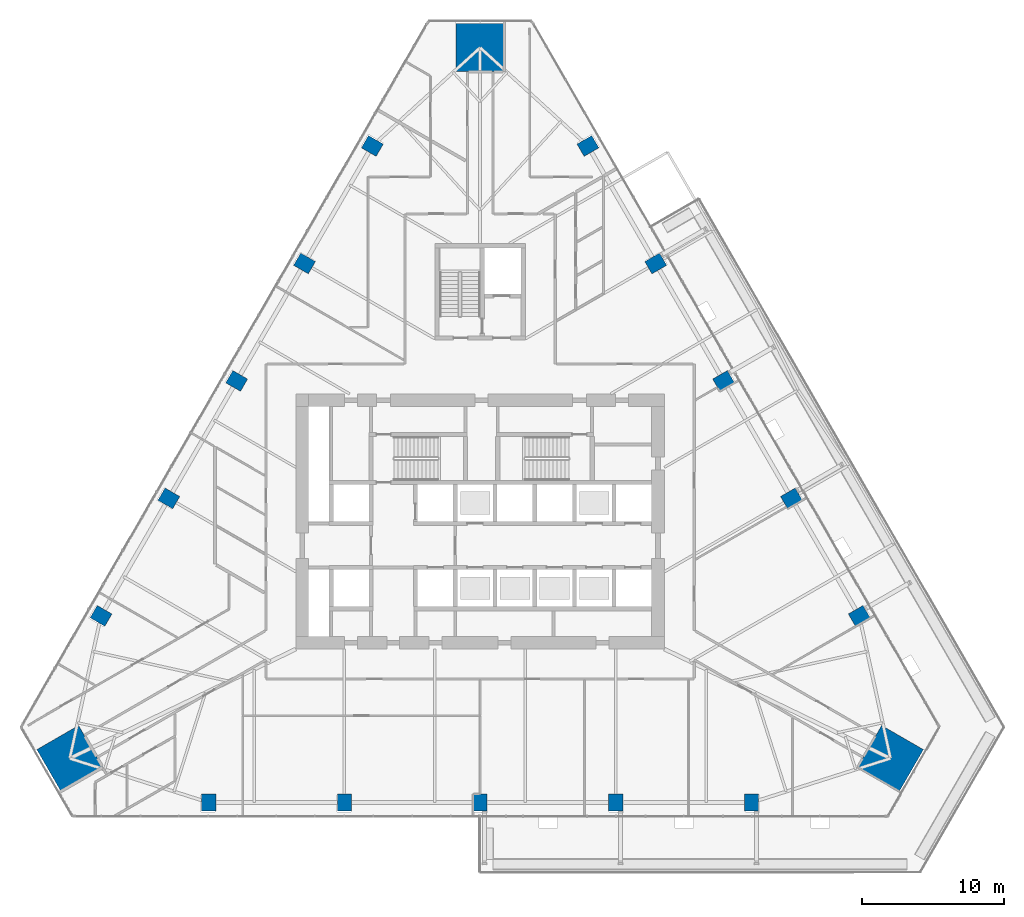
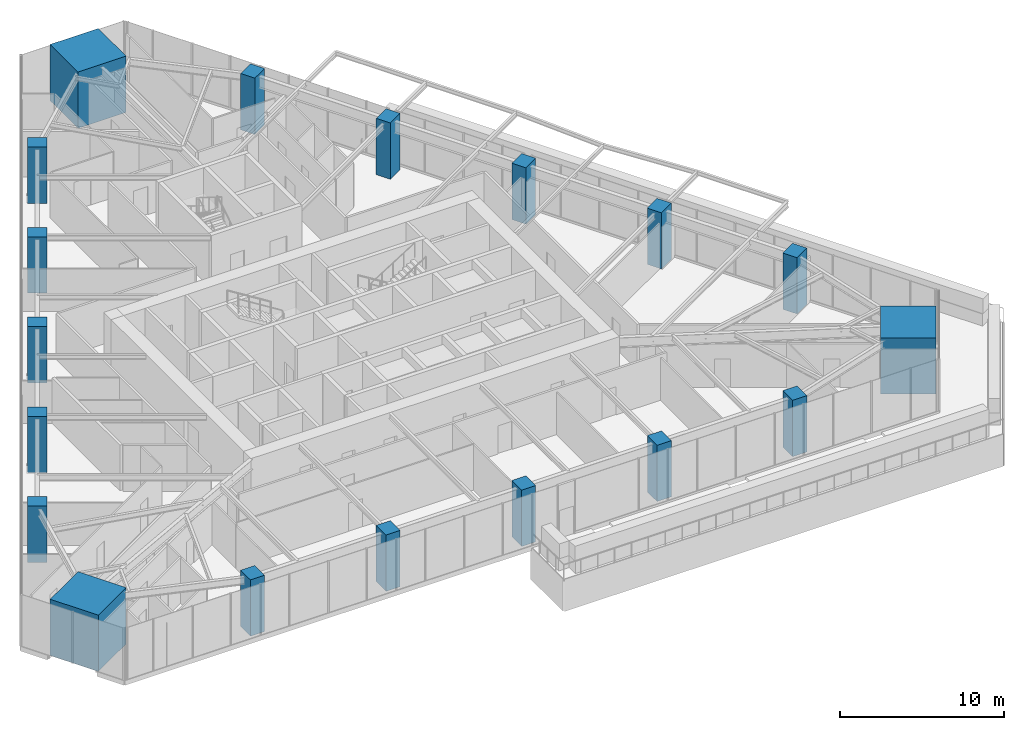
# One storey, part 1 of 29: 18 columns.
"""IFC4 building model written with IfcOpenShell, lengths in metres."""

import ifcopenshell
import ifcopenshell.guid

model = None  # the IFC model being written
_history = None  # IfcOwnerHistory: only IFC2X3 demands one
_inside = {}  # id of a spatial element -> (the spatial element, [elements in it])
_under = {}  # id of a project, library or spatial element -> (it, [spatial elements below it])
_declared = {}  # id of a project -> (the project, [libraries it declares])
_typed = {}  # id of a type object -> (the type object, [elements of that type])
_made_of = {}  # id of a material, layer set ... -> (it, [elements and type objects made of it])


def new_model(schema):
    """Start an empty IFC model of exactly this schema.

    Asked for "IFC4X3", IfcOpenShell would pick the latest addendum, in which some entities
    have other attributes; the version numbers below select the first issue.
    IFC2X3 requires an IfcOwnerHistory on every rooted entity: one is made here for all.
    """
    global model, _history
    if schema == "IFC4X3":
        model = ifcopenshell.file(schema_version=(4, 3, 0, 0))
    else:
        model = ifcopenshell.file(schema=schema)
    _inside.clear()
    _under.clear()
    _declared.clear()
    _typed.clear()
    _made_of.clear()
    _history = None
    if model.schema == "IFC2X3":
        org = make("IfcOrganization", Name="unknown")
        user = make(
            "IfcPersonAndOrganization",
            ThePerson=make("IfcPerson", FamilyName="unknown"),
            TheOrganization=org,
        )
        app = make(
            "IfcApplication",
            ApplicationDeveloper=org,
            Version="unknown",
            ApplicationFullName="unknown",
            ApplicationIdentifier="unknown",
        )
        _history = make(
            "IfcOwnerHistory",
            OwningUser=user,
            OwningApplication=app,
            ChangeAction="ADDED",
            CreationDate=0,
        )
    return model


def make(cls, **values):
    """One entity of the class cls with the attributes given. An attribute that is None is left unset."""
    return model.create_entity(
        cls, **{name: value for name, value in values.items() if value is not None}
    )


def rooted(cls, **values):
    """An entity with a GlobalId (a new one), such as an element, a storey or a relation."""
    return make(cls, GlobalId=ifcopenshell.guid.new(), OwnerHistory=_history, **values)


def si_unit(unit_type, name, prefix=None):
    """IfcSIUnit, for example si_unit("LENGTHUNIT", "METRE", prefix="MILLI")."""
    return make("IfcSIUnit", UnitType=unit_type, Prefix=prefix, Name=name)


def assignment(units):
    """IfcUnitAssignment: the units of a project."""
    return None if units is None else make("IfcUnitAssignment", Units=units)


def point(xyz):
    """IfcCartesianPoint."""
    return None if xyz is None else make("IfcCartesianPoint", Coordinates=xyz)


def direction(xyz):
    """IfcDirection."""
    return None if xyz is None else make("IfcDirection", DirectionRatios=xyz)


def frame(location, z_axis=None, x_axis=None):
    """IfcAxis2Placement3D, a coordinate frame: its origin and axes. An axis left out is left unset."""
    return make(
        "IfcAxis2Placement3D",
        Location=point(location),
        Axis=direction(z_axis),
        RefDirection=direction(x_axis),
    )


def frame_2d(location, x_axis=None):
    """IfcAxis2Placement2D, a coordinate frame in the plane: its origin and x axis."""
    return make(
        "IfcAxis2Placement2D", Location=point(location), RefDirection=direction(x_axis)
    )


def origin():
    """The frame at (0, 0, 0) with its axes left unset."""
    return frame((0.0, 0.0, 0.0))


def origin_2d():
    """The frame at (0, 0) in the plane with its x axis left unset."""
    return frame_2d((0.0, 0.0))


def place(relative_to, where):
    """IfcLocalPlacement: puts the frame where relative to a parent placement (None: the world)."""
    return make(
        "IfcLocalPlacement", PlacementRelTo=relative_to, RelativePlacement=where
    )


def context(
    kind, dimensions, precision=None, world=None, true_north=None, identifier=None
):
    """IfcGeometricRepresentationContext, for example the 3D "Model" context."""
    return make(
        "IfcGeometricRepresentationContext",
        ContextIdentifier=identifier,
        ContextType=kind,
        CoordinateSpaceDimension=dimensions,
        Precision=precision,
        WorldCoordinateSystem=world,
        TrueNorth=true_north,
    )


def subcontext(parent, identifier, kind, view, scale=None):
    """IfcGeometricRepresentationSubContext, for example "Body" below "Model"."""
    return make(
        "IfcGeometricRepresentationSubContext",
        ContextIdentifier=identifier,
        ContextType=kind,
        ParentContext=parent,
        TargetScale=scale,
        TargetView=view,
    )


def project(units=None, contexts=None):
    """IfcProject with its units and contexts."""
    return rooted(
        "IfcProject",
        Name="project",
        RepresentationContexts=contexts,
        UnitsInContext=assignment(units),
    )


def spatial(cls, under=None, at=None, **own):
    """A site, building, storey or space (cls), placed at a placement, below another one or the project."""
    s = rooted(cls, ObjectPlacement=at, **own)
    if under is not None:
        _under.setdefault(under.id(), (under, []))[1].append(s)
    return s


def profile(cls, at=None, kind="AREA", **sizes):
    """A parametric profile (cls). Its sizes go by their IFC names, for example OverallWidth=200.0."""
    return make(cls, ProfileType=kind, Position=at, **sizes)


def rectangle(**sizes):
    """IfcRectangleProfileDef."""
    return profile("IfcRectangleProfileDef", **sizes)


def extrude(swept, where, along, depth):
    """IfcExtrudedAreaSolid: the profile swept, set in the frame where, extruded along a direction by depth."""
    return make(
        "IfcExtrudedAreaSolid",
        SweptArea=swept,
        Position=where,
        ExtrudedDirection=direction(along),
        Depth=depth,
    )


def shape(context_of_items, identifier, shape_type, items):
    """IfcShapeRepresentation: the items that make up one representation, for example the "Body"."""
    return make(
        "IfcShapeRepresentation",
        ContextOfItems=context_of_items,
        RepresentationIdentifier=identifier,
        RepresentationType=shape_type,
        Items=items,
    )


def material(Name=None, Category=None):
    """IfcMaterial."""
    return make("IfcMaterial", Name=Name, Category=Category)


def material_profile(
    of_material, cross_section, Name=None, Category=None, Priority=None
):
    """IfcMaterialProfile: a cross section and its material."""
    return make(
        "IfcMaterialProfile",
        Name=Name,
        Material=of_material,
        Profile=cross_section,
        Priority=Priority,
        Category=Category,
    )


def profile_set(profiles, Name=None, composite=None):
    """IfcMaterialProfileSet."""
    return make(
        "IfcMaterialProfileSet",
        Name=Name,
        MaterialProfiles=profiles,
        CompositeProfile=composite,
    )


def made_of(thing, what):
    """Note that an element or type object is made of a material, layer set ...; save() writes the relation."""
    if what is not None:
        _made_of.setdefault(what.id(), (what, []))[1].append(thing)
    return thing


def type_object(cls, material=None, **own):
    """A type object (cls), such as IfcWallType, which elements share."""
    return made_of(rooted(cls, **own), material)


def element(
    cls,
    number,
    at=None,
    inside=None,
    cuts=None,
    type_object=None,
    material=None,
    context=None,
    identifier="Body",
    shape_type=None,
    held_by="IfcProductDefinitionShape",
    body=None,
    shapes=None,
    **own,
):
    """One element of the class cls, such as IfcWall. Its Tag is "e" and its number.

    at: its placement. inside: the storey or other place that contains it. cuts: it is an
    opening in that element (IfcRelVoidsElement). A single representation is given by context,
    identifier, shape_type and body (its items); several are given by shapes. held_by: the class
    of the entity that holds the representations. save() writes the other relations.
    """
    e = rooted(cls, Tag="e%d" % number, ObjectPlacement=at, **own)
    if body is not None:
        shapes = [shape(context, identifier, shape_type, body)]
    if shapes is not None:
        e.Representation = make(held_by, Representations=shapes)
    if inside is not None:
        _inside.setdefault(inside.id(), (inside, []))[1].append(e)
    if cuts is not None:
        rooted(
            "IfcRelVoidsElement", RelatingBuildingElement=cuts, RelatedOpeningElement=e
        )
    if type_object is not None:
        _typed.setdefault(type_object.id(), (type_object, []))[1].append(e)
    return made_of(e, material)


def aggregate(whole, parts):
    """IfcRelAggregates: a whole, such as a stair, and the parts it consists of."""
    return rooted("IfcRelAggregates", RelatingObject=whole, RelatedObjects=parts)


def save(model, path):
    """Write the relations noted so far, then the file.

    IfcRelAggregates (storeys below a building ...), IfcRelContainedInSpatialStructure (elements
    in a storey), IfcRelDefinesByType, IfcRelAssociatesMaterial and IfcRelDeclares: one each for
    every whole, place, type object, material and project.
    """
    for whole, parts in _under.values():
        aggregate(whole, parts)
    for where, things in _inside.values():
        rooted(
            "IfcRelContainedInSpatialStructure",
            RelatedElements=things,
            RelatingStructure=where,
        )
    for kind, things in _typed.values():
        rooted("IfcRelDefinesByType", RelatedObjects=things, RelatingType=kind)
    for what, things in _made_of.values():
        rooted("IfcRelAssociatesMaterial", RelatedObjects=things, RelatingMaterial=what)
    for by, libraries in _declared.values():
        rooted("IfcRelDeclares", RelatingContext=by, RelatedDefinitions=libraries)
    model.write(path)


model = new_model("IFC4")

# Units and contexts
model_context = context("Model", 3, precision=1e-05, world=origin(), true_north=direction((0.0, 1.0)))
body_context = subcontext(model_context, "Body", "Model", "MODEL_VIEW")
ifc_project = project(units=[si_unit("LENGTHUNIT", "METRE"), si_unit("AREAUNIT", "SQUARE_METRE"), si_unit("VOLUMEUNIT", "CUBIC_METRE"), si_unit("PLANEANGLEUNIT", "RADIAN"), si_unit("MASSUNIT", "GRAM", prefix="KILO")], contexts=[model_context])

# Site, building, storey
site_placement = place(None, origin())
site = spatial("IfcSite", under=ifc_project, at=site_placement, CompositionType="ELEMENT")
building_placement = place(site_placement, origin())
building = spatial("IfcBuilding", under=site, at=building_placement, Name="Firuza Gate Tower and Library", CompositionType="ELEMENT")
storey_placement = place(building_placement, frame((0.0, 0.0, 48.39990234375)))
storey = spatial("IfcBuildingStorey", under=building, at=storey_placement, Name="L10", CompositionType="ELEMENT", Elevation=48.39990234375)

# Columns
ifc_material_1 = material(Name="Concrete C80/95", Category="concrete")
ifc_material_profile_1 = material_profile(ifc_material_1, rectangle(XDim=3.39990234375, YDim=3.39990234375, at=origin_2d()))
ifc_profile_set_1 = profile_set([ifc_material_profile_1], Name="Concrete C80/95")
column_type_1 = type_object("IfcColumnType", Name="Mega column 3400x3400 C80/95", PredefinedType="COLUMN", material=ifc_profile_set_1)
for number, where, z_axis, x_axis, name in (
    (1, (103.94287109375, 58.289794921875, 0.0), (0.0, 0.0, 1.0), (0.5, 0.866025403784, 0.0), "Mega column SE L10"),
    (2, (75.0, 108.42041015625, 0.0), (0.0, 0.0, 1.0), (-1.0, 0.0, 0.0), "Mega column N L10"),
    (3, (46.05712890625, 58.289794921875, 0.0), (0.0, 0.0, 1.0), (0.5, -0.866025403784, 0.0), "Mega column SW L10"),
):
    element("IfcColumn", number, at=place(storey_placement, frame(where, z_axis=z_axis, x_axis=x_axis)), inside=storey, type_object=column_type_1, Name=name, PredefinedType="COLUMN", context=body_context, shape_type="SweptSolid", body=[
        extrude(rectangle(XDim=3.39990234375, YDim=3.39990234375, at=origin_2d()), origin(), (0.0, 0.0, 1.0), 4.2001953125),
    ])
ifc_material_2 = material(Name="Concrete C60/75", Category="concrete")
ifc_material_profile_2 = material_profile(ifc_material_2, rectangle(XDim=1.0, YDim=1.199951171875, at=origin_2d()))
ifc_profile_set_2 = profile_set([ifc_material_profile_2], Name="Concrete C60/75")
column_type_2 = type_object("IfcColumnType", Name="Perimeter column 1000x1200 C60/75", PredefinedType="COLUMN", material=ifc_profile_set_2)
for number, where, z_axis, x_axis, name in (
    (4, (55.865478515625, 55.172119140625, -0.000244140625), (0.0, 0.0, 1.0), (1.0, 0.0, 0.0), "Column S1 L10"),
    (5, (65.432861328125, 55.172119140625, -0.000244140625), (0.0, 0.0, 1.0), (1.0, 0.0, 0.0), "Column S2 L10"),
    (6, (75.0, 55.172119140625, -0.000244140625), (0.0, 0.0, 1.0), (1.0, 0.0, 0.0), "Column S3 L10"),
    (7, (84.567138671875, 55.172119140625, -0.000244140625), (0.0, 0.0, 1.0), (1.0, 0.0, 0.0), "Column S4 L10"),
    (8, (94.134521484375, 55.172119140625, -0.000244140625), (0.0, 0.0, 1.0), (1.0, 0.0, 0.0), "Column S5 L10"),
    (9, (101.73876953125, 68.343017578125, -0.000244140625), (0.0, 0.0, 1.0), (-0.5, 0.866025403784, 0.0), "Column E1 L10"),
    (10, (96.955078125, 76.62841796875, -0.000244140625), (0.0, 0.0, 1.0), (-0.5, 0.866025403784, 0.0), "Column E2 L10"),
    (11, (92.17138671875, 84.913818359375, -0.000244140625), (0.0, 0.0, 1.0), (-0.5, 0.866025403784, 0.0), "Column E3 L10"),
    (12, (87.3876953125, 93.199462890625, -0.000244140625), (0.0, 0.0, 1.0), (-0.5, 0.866025403784, 0.0), "Column E4 L10"),
    (13, (82.604248046875, 101.48486328125, -0.000244140625), (0.0, 0.0, 1.0), (-0.5, 0.866025403784, 0.0), "Column E5 L10"),
    (14, (67.395751953125, 101.48486328125, -0.000244140625), (0.0, 0.0, 1.0), (-0.5, -0.866025403784, 0.0), "Column W1 L10"),
    (15, (62.6123046875, 93.199462890625, -0.000244140625), (0.0, 0.0, 1.0), (-0.5, -0.866025403784, 0.0), "Column W2 L10"),
    (16, (57.82861328125, 84.913818359375, -0.000244140625), (0.0, 0.0, 1.0), (-0.5, -0.866025403784, 0.0), "Column W3 L10"),
    (17, (53.044921875, 76.62841796875, -0.000244140625), (0.0, 0.0, 1.0), (-0.5, -0.866025403784, 0.0), "Column W4 L10"),
    (18, (48.26123046875, 68.343017578125, -0.000244140625), (0.0, 0.0, 1.0), (-0.5, -0.866025403784, 0.0), "Column W5 L10"),
):
    element("IfcColumn", number, at=place(storey_placement, frame(where, z_axis=z_axis, x_axis=x_axis)), inside=storey, type_object=column_type_2, Name=name, PredefinedType="COLUMN", context=body_context, shape_type="SweptSolid", body=[
        extrude(rectangle(XDim=1.0, YDim=1.199951171875, at=origin_2d()), origin(), (0.0, 0.0, 1.0), 4.200439453125),
    ])

save(model, "model.ifc")
